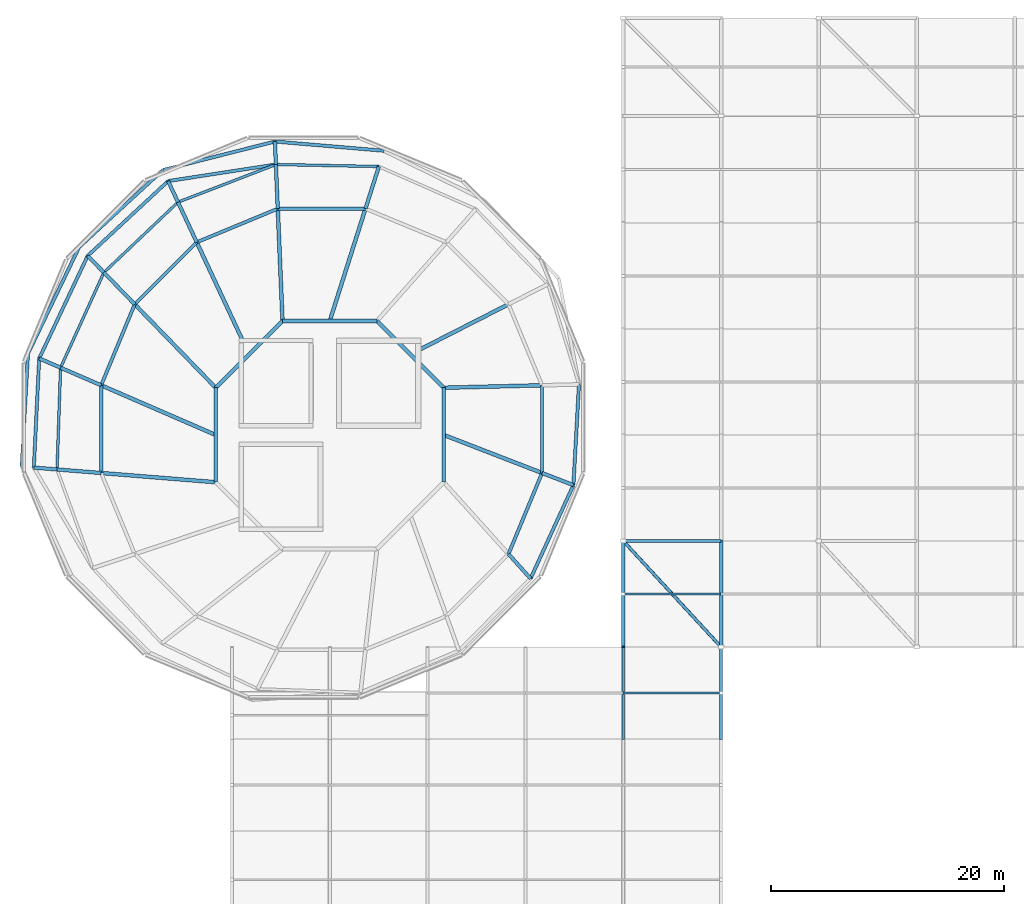
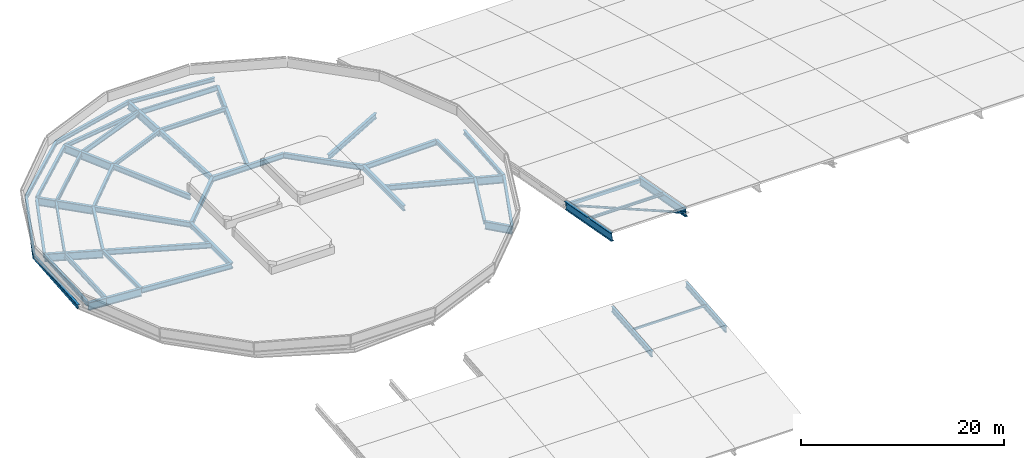
# One storey, part 2 of 12: 54 beams, 4 members.
"""IFC4 building model written with IfcOpenShell, lengths in metres."""

from ifc_helpers import new_model, si_unit, derived_unit, direction, frame, origin, origin_2d, place, context, subcontext, project, spatial, hollow_rectangle, hollow_circle, i_section, extrude, material, material_profile, profile_set, type_object, element, save


model = new_model("IFC4")

# Units and contexts
model_context = context("Model", 3, precision=1e-05, world=origin(), true_north=direction((0.0, 1.0)))
body_context = subcontext(model_context, "Body", "Model", "MODEL_VIEW")
ifc_project = project(units=[si_unit("LENGTHUNIT", "METRE"), si_unit("AREAUNIT", "SQUARE_METRE"), si_unit("VOLUMEUNIT", "CUBIC_METRE"), si_unit("PLANEANGLEUNIT", "RADIAN"), si_unit("MASSUNIT", "GRAM", prefix="KILO"), derived_unit("THERMALTRANSMITTANCEUNIT", [(si_unit("MASSUNIT", "GRAM", prefix="KILO"), 1), (si_unit("TIMEUNIT", "SECOND"), -3), (si_unit("THERMODYNAMICTEMPERATUREUNIT", "KELVIN"), -1)])], contexts=[model_context])

# Site, building, storey
site_placement = place(None, origin())
site = spatial("IfcSite", under=ifc_project, at=site_placement, CompositionType="ELEMENT")
building_placement = place(site_placement, origin())
building = spatial("IfcBuilding", under=site, at=building_placement, Name="Makaiwela Harbour Ferry Terminal", CompositionType="ELEMENT")
storey_placement = place(building_placement, frame((0.0, 0.0, 25.5)))
storey = spatial("IfcBuildingStorey", under=building, at=storey_placement, Name="ROOF", CompositionType="ELEMENT", Elevation=25.5)

# Beams
ifc_material_1 = material(Name="Steel ASTM A992 Grade 50", Category="steel")
ifc_material_profile_1 = material_profile(ifc_material_1, i_section(OverallWidth=0.256103515625, OverallDepth=0.693115234375, WebThickness=0.014404296875, FlangeThickness=0.023681640625, at=origin_2d()), Name="W27X114")
ifc_profile_set_1 = profile_set([ifc_material_profile_1], Name="Steel ASTM A992 Grade 50")
beam_type_1 = type_object("IfcBeamType", Name="STR-ARC-W27X114", PredefinedType="USERDEFINED", material=ifc_profile_set_1)
for number, where, z_axis, x_axis, name in (
    (1, (63.0, 41.5, -10.28125), (0.0, 0.996097758322, 0.088256761021), (-1.0, 0.0, 0.0), "Arrivals vault arch rib 9-3"),
    (2, (71.39990234375, 41.5, -10.28125), (0.0, 0.996097758322, 0.088256761021), (-1.0, 0.0, 0.0), "Arrivals vault arch rib 10-3"),
):
    element("IfcBeam", number, at=place(storey_placement, frame(where, z_axis=z_axis, x_axis=x_axis)), inside=storey, type_object=beam_type_1, Name=name, ObjectType="ARCH SEGMENT", PredefinedType="USERDEFINED", context=body_context, shape_type="SweptSolid", body=[
        extrude(i_section(OverallWidth=0.256103515625, OverallDepth=0.693115234375, WebThickness=0.014404296875, FlangeThickness=0.023681640625, at=origin_2d()), origin(), (0.0, 0.0, 1.0), 7.930908203125),
    ])
ifc_material_profile_2 = material_profile(ifc_material_1, i_section(OverallWidth=0.306884765625, OverallDepth=0.927001953125, WebThickness=0.019287109375, FlangeThickness=0.031982421875, at=origin_2d()), Name="W36X194")
ifc_profile_set_2 = profile_set([ifc_material_profile_2], Name="Steel ASTM A992 Grade 50")
beam_type_2 = type_object("IfcBeamType", Name="STR-ARC-W36X194", PredefinedType="USERDEFINED", material=ifc_profile_set_2)
for number, where, z_axis, x_axis, name in (
    (3, (63.0, 58.5, -2.671875), (0.0, -0.983383846995, 0.181538451767), (1.0, 0.0, 0.0), "Departure vault arch rib 9-6"),
    (4, (71.39990234375, 58.5, -2.671875), (0.0, -0.983383846995, 0.181538451767), (1.0, 0.0, 0.0), "Departure vault arch rib 10-6"),
):
    element("IfcBeam", number, at=place(storey_placement, frame(where, z_axis=z_axis, x_axis=x_axis)), inside=storey, type_object=beam_type_2, Name=name, ObjectType="ARCH SEGMENT", PredefinedType="USERDEFINED", context=body_context, shape_type="SweptSolid", body=[
        extrude(i_section(OverallWidth=0.306884765625, OverallDepth=0.927001953125, WebThickness=0.019287109375, FlangeThickness=0.031982421875, at=origin_2d()), origin(), (0.0, 0.0, 1.0), 9.25390625),
    ])
ifc_material_profile_3 = material_profile(ifc_material_1, i_section(OverallWidth=0.280029296875, OverallDepth=0.462890625, WebThickness=0.0107421875, FlangeThickness=0.017333984375, at=origin_2d()), Name="W18X76")
ifc_profile_set_3 = profile_set([ifc_material_profile_3], Name="Steel ASTM A992 Grade 50")
beam_type_3 = type_object("IfcBeamType", Name="STR-BM-W18X76", PredefinedType="BEAM", material=ifc_profile_set_3)
beam_1_placement = place(storey_placement, frame((33.173583984375, 90.82568359375, -0.651611328125), z_axis=(-0.988365063571, -0.152100299516, 0.0), x_axis=(0.152100299516, -0.988365063571, 0.0)))
element("IfcBeam", 5, at=beam_1_placement, inside=storey, type_object=beam_type_3, Name="Drum stage2 tie girder 684", PredefinedType="BEAM", context=body_context, shape_type="SweptSolid", body=[
    extrude(i_section(OverallWidth=0.280029296875, OverallDepth=0.462890625, WebThickness=0.0107421875, FlangeThickness=0.017333984375, at=origin_2d()), origin(), (0.0, 0.0, 1.0), 9.361083984375),
])
beam_2_placement = place(storey_placement, frame((23.92138671875, 89.40185546875, -0.651611328125), z_axis=(-0.732663441999, -0.680591125977, 0.0), x_axis=(0.680591125977, -0.732663441999, 0.0)))
element("IfcBeam", 6, at=beam_2_placement, inside=storey, type_object=beam_type_3, Name="Drum stage2 tie girder 686", PredefinedType="BEAM", context=body_context, shape_type="SweptSolid", body=[
    extrude(i_section(OverallWidth=0.280029296875, OverallDepth=0.462890625, WebThickness=0.0107421875, FlangeThickness=0.017333984375, at=origin_2d()), origin(), (0.0, 0.0, 1.0), 9.428466796875),
])
beam_3_placement = place(storey_placement, frame((17.013427734375, 82.98486328125, -0.651611328125), z_axis=(-0.427213957475, -0.904150559663, 0.0), x_axis=(0.904150559663, -0.427213957475, 0.0)))
element("IfcBeam", 7, at=beam_3_placement, inside=storey, type_object=beam_type_3, Name="Drum stage2 tie girder 688", PredefinedType="BEAM", context=body_context, shape_type="SweptSolid", body=[
    extrude(i_section(OverallWidth=0.280029296875, OverallDepth=0.462890625, WebThickness=0.0107421875, FlangeThickness=0.017333984375, at=origin_2d()), origin(), (0.0, 0.0, 1.0), 9.746337890625),
])
beam_4_placement = place(storey_placement, frame((12.849609375, 74.172607421875, -0.651611328125), z_axis=(-0.049040970726, -0.998796767711, 0.0), x_axis=(0.998796767711, -0.049040970726, 0.0)))
element("IfcBeam", 8, at=beam_4_placement, inside=storey, type_object=beam_type_3, Name="Drum stage2 tie girder 690", PredefinedType="BEAM", context=body_context, shape_type="SweptSolid", body=[
    extrude(i_section(OverallWidth=0.280029296875, OverallDepth=0.462890625, WebThickness=0.0107421875, FlangeThickness=0.017333984375, at=origin_2d()), origin(), (0.0, 0.0, 1.0), 9.384033203125),
])

# Members
ifc_material_2 = material(Name="Steel ASTM A500 Grade C", Category="steel")
ifc_material_profile_4 = material_profile(ifc_material_2, hollow_circle(Radius=0.136474609375, WallThickness=0.0126953125, at=origin_2d()), Name="PIPE10XS")
ifc_profile_set_4 = profile_set([ifc_material_profile_4], Name="Steel ASTM A500 Grade C")
member_type_1 = type_object("IfcMemberType", Name="STR-BRC-PIPE10", PredefinedType="BRACE", material=ifc_profile_set_4)
member_1_placement = place(storey_placement, frame((63.0, 58.5, -2.671875), z_axis=(0.672116283333, -0.728142252658, 0.134419349695), x_axis=(0.734811002576, 0.678271914864, 0.0)))
element("IfcMember", 9, at=member_1_placement, inside=storey, type_object=member_type_1, Name="Structural Member BR-04", PredefinedType="BRACE", context=body_context, shape_type="SweptSolid", body=[
    extrude(hollow_circle(Radius=0.136474609375, WallThickness=0.0126953125, at=origin_2d()), origin(), (0.0, 0.0, 1.0), 12.497802734375),
])
ifc_material_profile_5 = material_profile(ifc_material_2, hollow_rectangle(XDim=0.25390625, YDim=0.406005859375, WallThickness=0.01171875, at=origin_2d()), Name="HSS16X10X1/2")
ifc_profile_set_5 = profile_set([ifc_material_profile_5], Name="Steel ASTM A500 Grade C")
member_type_2 = type_object("IfcMemberType", Name="STR-CHD-HSS16", PredefinedType="CHORD", material=ifc_profile_set_5)
member_2_placement = place(storey_placement, frame((63.0, 58.5, -2.671875), z_axis=(1.0, 0.0, 0.0), x_axis=(0.0, 1.0, 0.0)))
element("IfcMember", 10, at=member_2_placement, inside=storey, type_object=member_type_2, Name="Structural Member CH-01", PredefinedType="CHORD", context=body_context, shape_type="SweptSolid", body=[
    extrude(hollow_rectangle(XDim=0.25390625, YDim=0.406005859375, WallThickness=0.01171875, at=origin_2d()), origin(), (0.0, 0.0, 1.0), 8.39990234375),
])

# Beams
ifc_material_profile_6 = material_profile(ifc_material_1, i_section(OverallWidth=0.324951171875, OverallDepth=0.615966796875, WebThickness=0.013916015625, FlangeThickness=0.021484375, at=origin_2d()), Name="W24X117")
ifc_profile_set_6 = profile_set([ifc_material_profile_6], Name="Steel ASTM A992 Grade 50")
beam_type_4 = type_object("IfcBeamType", Name="STR-GRD-W24X117", PredefinedType="USERDEFINED", material=ifc_profile_set_6)
for number, where, z_axis, x_axis, name in (
    (11, (47.593017578125, 71.656494140625, -0.72802734375), (-0.707106781187, 0.707106781187, 0.0), (-0.707106781187, -0.707106781187, 0.0), "Drum inner ring girder 618"),
    (12, (41.8564453125, 77.39306640625, -0.72802734375), (-1.0, 0.0, 0.0), (0.0, -1.0, 0.0), "Drum inner ring girder 619"),
    (13, (33.74365234375, 77.39306640625, -0.72802734375), (-0.707121827452, -0.707091734601, 0.0), (0.707091734601, -0.707121827452, 0.0), "Drum inner ring girder 620"),
    (14, (28.0068359375, 71.656494140625, -0.72802734375), (0.0, -1.0, 0.0), (1.0, 0.0, 0.0), "Drum inner ring girder 621"),
    (15, (47.593017578125, 63.543701171875, -0.72802734375), (0.0, 1.0, 0.0), (-1.0, 0.0, 0.0), "Drum inner ring girder 625"),
):
    element("IfcBeam", number, at=place(storey_placement, frame(where, z_axis=z_axis, x_axis=x_axis)), inside=storey, type_object=beam_type_4, Name=name, ObjectType="GIRDER", PredefinedType="USERDEFINED", context=body_context, shape_type="SweptSolid", body=[
        extrude(i_section(OverallWidth=0.324951171875, OverallDepth=0.615966796875, WebThickness=0.013916015625, FlangeThickness=0.021484375, at=origin_2d()), origin(), (0.0, 0.0, 1.0), 8.11279296875),
    ])
beam_5_placement = place(storey_placement, frame((47.593017578125, 71.656494140625, -0.72802734375), z_axis=(0.999694028426, 0.024735592369, 0.0), x_axis=(-0.024735592369, 0.999694028426, 0.0)))
element("IfcBeam", 16, at=beam_5_placement, inside=storey, type_object=beam_type_4, Name="Drum radial girder 642", ObjectType="GIRDER", PredefinedType="USERDEFINED", context=body_context, shape_type="SweptSolid", body=[
    extrude(i_section(OverallWidth=0.324951171875, OverallDepth=0.615966796875, WebThickness=0.013916015625, FlangeThickness=0.021484375, at=origin_2d()), origin(), (0.0, 0.0, 1.0), 8.43896484375),
])
beam_6_placement = place(storey_placement, frame((45.43994140625, 74.8896484375, -0.72802734375), z_axis=(0.890740656369, 0.454511917436, 0.0), x_axis=(-0.454511917436, 0.890740656369, 0.0)))
element("IfcBeam", 17, at=beam_6_placement, inside=storey, type_object=beam_type_4, Name="Drum radial girder 644", ObjectType="GIRDER", PredefinedType="USERDEFINED", context=body_context, shape_type="SweptSolid", body=[
    extrude(i_section(OverallWidth=0.324951171875, OverallDepth=0.615966796875, WebThickness=0.013916015625, FlangeThickness=0.021484375, at=origin_2d()), origin(), (0.0, 0.0, 1.0), 8.65283203125),
])
beam_7_placement = place(storey_placement, frame((37.800048828125, 77.39306640625, -0.72802734375), z_axis=(0.303123932236, 0.952951143399, 0.0), x_axis=(-0.952951143399, 0.303123932236, 0.0)))
element("IfcBeam", 18, at=beam_7_placement, inside=storey, type_object=beam_type_4, Name="Drum radial girder 648", ObjectType="GIRDER", PredefinedType="USERDEFINED", context=body_context, shape_type="SweptSolid", body=[
    extrude(i_section(OverallWidth=0.324951171875, OverallDepth=0.615966796875, WebThickness=0.013916015625, FlangeThickness=0.021484375, at=origin_2d()), origin(), (0.0, 0.0, 1.0), 10.112060546875),
])
beam_8_placement = place(storey_placement, frame((33.74365234375, 77.39306640625, -0.72802734375), z_axis=(-0.042399132515, 0.999100752458, 0.0), x_axis=(-0.999100752458, -0.042399132515, 0.0)))
element("IfcBeam", 19, at=beam_8_placement, inside=storey, type_object=beam_type_4, Name="Drum radial girder 650", ObjectType="GIRDER", PredefinedType="USERDEFINED", context=body_context, shape_type="SweptSolid", body=[
    extrude(i_section(OverallWidth=0.324951171875, OverallDepth=0.615966796875, WebThickness=0.013916015625, FlangeThickness=0.021484375, at=origin_2d()), origin(), (0.0, 0.0, 1.0), 9.64501953125),
])
beam_9_placement = place(storey_placement, frame((30.30712890625, 75.739990234375, -0.72802734375), z_axis=(-0.423434085994, 0.905926914722, 0.0), x_axis=(-0.905926914722, -0.423434085994, 0.0)))
element("IfcBeam", 20, at=beam_9_placement, inside=storey, type_object=beam_type_4, Name="Drum radial girder 653", ObjectType="GIRDER", PredefinedType="USERDEFINED", context=body_context, shape_type="SweptSolid", body=[
    extrude(i_section(OverallWidth=0.324951171875, OverallDepth=0.615966796875, WebThickness=0.013916015625, FlangeThickness=0.021484375, at=origin_2d()), origin(), (0.0, 0.0, 1.0), 9.280517578125),
])
beam_10_placement = place(storey_placement, frame((28.0068359375, 71.656494140625, -0.72802734375), z_axis=(-0.696428721194, 0.717625972423, 0.0), x_axis=(-0.717625972423, -0.696428721194, 0.0)))
element("IfcBeam", 21, at=beam_10_placement, inside=storey, type_object=beam_type_4, Name="Drum radial girder 656", ObjectType="GIRDER", PredefinedType="USERDEFINED", context=body_context, shape_type="SweptSolid", body=[
    extrude(i_section(OverallWidth=0.324951171875, OverallDepth=0.615966796875, WebThickness=0.013916015625, FlangeThickness=0.021484375, at=origin_2d()), origin(), (0.0, 0.0, 1.0), 9.98583984375),
])
beam_11_placement = place(storey_placement, frame((28.0068359375, 67.60009765625, -0.72802734375), z_axis=(-0.91745700874, 0.397834937021, 0.0), x_axis=(-0.397834937021, -0.91745700874, 0.0)))
element("IfcBeam", 22, at=beam_11_placement, inside=storey, type_object=beam_type_4, Name="Drum radial girder 659", ObjectType="GIRDER", PredefinedType="USERDEFINED", context=body_context, shape_type="SweptSolid", body=[
    extrude(i_section(OverallWidth=0.324951171875, OverallDepth=0.615966796875, WebThickness=0.013916015625, FlangeThickness=0.021484375, at=origin_2d()), origin(), (0.0, 0.0, 1.0), 10.720947265625),
])
beam_12_placement = place(storey_placement, frame((28.0068359375, 63.543701171875, -0.72802734375), z_axis=(-0.996781835671, 0.080162161129, 0.0), x_axis=(-0.080162161129, -0.996781835671, 0.0)))
element("IfcBeam", 23, at=beam_12_placement, inside=storey, type_object=beam_type_4, Name="Drum radial girder 662", ObjectType="GIRDER", PredefinedType="USERDEFINED", context=body_context, shape_type="SweptSolid", body=[
    extrude(i_section(OverallWidth=0.324951171875, OverallDepth=0.615966796875, WebThickness=0.013916015625, FlangeThickness=0.021484375, at=origin_2d()), origin(), (0.0, 0.0, 1.0), 9.86767578125),
])
beam_13_placement = place(storey_placement, frame((47.593017578125, 67.60009765625, -0.72802734375), z_axis=(0.932578355868, -0.360967602655, 0.0), x_axis=(0.360967602655, 0.932578355868, 0.0)))
element("IfcBeam", 24, at=beam_13_placement, inside=storey, type_object=beam_type_4, Name="Drum radial girder 677", ObjectType="GIRDER", PredefinedType="USERDEFINED", context=body_context, shape_type="SweptSolid", body=[
    extrude(i_section(OverallWidth=0.324951171875, OverallDepth=0.615966796875, WebThickness=0.013916015625, FlangeThickness=0.021484375, at=origin_2d()), origin(), (0.0, 0.0, 1.0), 9.046142578125),
])
ifc_material_profile_7 = material_profile(ifc_material_1, i_section(OverallWidth=0.22900390625, OverallDepth=0.612060546875, WebThickness=0.011962890625, FlangeThickness=0.01953125, at=origin_2d()), Name="W24X84")
ifc_profile_set_7 = profile_set([ifc_material_profile_7], Name="Steel ASTM A992 Grade 50")
beam_type_5 = type_object("IfcBeamType", Name="STR-GRD-W24X84", PredefinedType="USERDEFINED", material=ifc_profile_set_7)
beam_14_placement = place(storey_placement, frame((42.01708984375, 90.650390625, -0.72607421875), z_axis=(-0.999803608761, 0.019817767471, 0.0), x_axis=(-0.019817767471, -0.999803608761, 0.0)))
element("IfcBeam", 25, at=beam_14_placement, inside=storey, type_object=beam_type_5, Name="Drum overhang tie girder 682", ObjectType="GIRDER", PredefinedType="USERDEFINED", context=body_context, shape_type="SweptSolid", body=[
    extrude(i_section(OverallWidth=0.22900390625, OverallDepth=0.612060546875, WebThickness=0.011962890625, FlangeThickness=0.01953125, at=origin_2d()), origin(), (0.0, 0.0, 1.0), 8.84521484375),
])
beam_15_placement = place(storey_placement, frame((33.173583984375, 90.82568359375, -0.72607421875), z_axis=(-0.933232382004, -0.359273323779, 0.0), x_axis=(0.359273323779, -0.933232382004, 0.0)))
element("IfcBeam", 26, at=beam_15_placement, inside=storey, type_object=beam_type_5, Name="Drum overhang tie girder 683", ObjectType="GIRDER", PredefinedType="USERDEFINED", context=body_context, shape_type="SweptSolid", body=[
    extrude(i_section(OverallWidth=0.22900390625, OverallDepth=0.612060546875, WebThickness=0.011962890625, FlangeThickness=0.01953125, at=origin_2d()), origin(), (0.0, 0.0, 1.0), 9.006591796875),
])
beam_16_placement = place(storey_placement, frame((24.768310546875, 87.58984375, -0.72607421875), z_axis=(-0.725208541856, -0.688529281018, 0.0), x_axis=(0.688529281018, -0.725208541856, 0.0)))
element("IfcBeam", 27, at=beam_16_placement, inside=storey, type_object=beam_type_5, Name="Drum overhang tie girder 685", ObjectType="GIRDER", PredefinedType="USERDEFINED", context=body_context, shape_type="SweptSolid", body=[
    extrude(i_section(OverallWidth=0.22900390625, OverallDepth=0.612060546875, WebThickness=0.011962890625, FlangeThickness=0.01953125, at=origin_2d()), origin(), (0.0, 0.0, 1.0), 8.772705078125),
])
beam_17_placement = place(storey_placement, frame((18.40625, 81.549560546875, -0.72607421875), z_axis=(-0.41443577564, -0.910078561372, 0.0), x_axis=(0.910078561372, -0.41443577564, 0.0)))
element("IfcBeam", 28, at=beam_17_placement, inside=storey, type_object=beam_type_5, Name="Drum overhang tie girder 687", ObjectType="GIRDER", PredefinedType="USERDEFINED", context=body_context, shape_type="SweptSolid", body=[
    extrude(i_section(OverallWidth=0.22900390625, OverallDepth=0.612060546875, WebThickness=0.011962890625, FlangeThickness=0.01953125, at=origin_2d()), origin(), (0.0, 0.0, 1.0), 8.980224609375),
])
beam_18_placement = place(storey_placement, frame((14.6845703125, 73.376953125, -0.72607421875), z_axis=(-0.034487282234, -0.999405136751, 0.0), x_axis=(0.999405136751, -0.034487282234, 0.0)))
element("IfcBeam", 29, at=beam_18_placement, inside=storey, type_object=beam_type_5, Name="Drum overhang tie girder 689", ObjectType="GIRDER", PredefinedType="USERDEFINED", context=body_context, shape_type="SweptSolid", body=[
    extrude(i_section(OverallWidth=0.22900390625, OverallDepth=0.612060546875, WebThickness=0.011962890625, FlangeThickness=0.01953125, at=origin_2d()), origin(), (0.0, 0.0, 1.0), 8.74267578125),
])
ifc_material_profile_8 = material_profile(ifc_material_1, i_section(OverallWidth=0.31005859375, OverallDepth=0.949951171875, WebThickness=0.0244140625, FlangeThickness=0.0439453125, at=origin_2d()), Name="W36X256")
ifc_profile_set_8 = profile_set([ifc_material_profile_8], Name="Steel ASTM A992 Grade 50")
beam_type_6 = type_object("IfcBeamType", Name="STR-GRD-W36X256", PredefinedType="USERDEFINED", material=ifc_profile_set_8)
for number, where, z_axis, x_axis, name in (
    (30, (40.865234375, 87.029296875, -0.89501953125), (0.303129401711, 0.952949403598, 0.0), (-0.952949403598, 0.303129401711, 0.0), "Drum radial overhang 649"),
    (31, (33.334716796875, 87.029296875, -0.89501953125), (-0.042405550922, 0.999100480057, 0.0), (-0.999100480057, -0.042405550922, 0.0), "Drum radial overhang 651"),
):
    element("IfcBeam", number, at=place(storey_placement, frame(where, z_axis=z_axis, x_axis=x_axis)), inside=storey, type_object=beam_type_6, Name=name, ObjectType="GIRDER", PredefinedType="USERDEFINED", context=body_context, shape_type="SweptSolid", body=[
        extrude(i_section(OverallWidth=0.31005859375, OverallDepth=0.949951171875, WebThickness=0.0244140625, FlangeThickness=0.0439453125, at=origin_2d()), origin(), (0.0, 0.0, 1.0), 3.7998046875),
    ])
beam_19_placement = place(storey_placement, frame((33.173583984375, 90.82568359375, -0.89501953125), z_axis=(-0.042299319667, 0.99910498325, 0.0), x_axis=(-0.99910498325, -0.042299319667, 0.0)))
element("IfcBeam", 32, at=beam_19_placement, inside=storey, type_object=beam_type_6, Name="Drum overhang radial girder 652", ObjectType="GIRDER", PredefinedType="USERDEFINED", context=body_context, shape_type="SweptSolid", body=[
    extrude(i_section(OverallWidth=0.31005859375, OverallDepth=0.949951171875, WebThickness=0.0244140625, FlangeThickness=0.0439453125, at=origin_2d()), origin(), (0.0, 0.0, 1.0), 1.973876953125),
])
beam_20_placement = place(storey_placement, frame((26.37744140625, 84.1474609375, -0.89501953125), z_axis=(-0.423465730758, 0.905912123152, 0.0), x_axis=(-0.905912123152, -0.423465730758, 0.0)))
element("IfcBeam", 33, at=beam_20_placement, inside=storey, type_object=beam_type_6, Name="Drum radial overhang 654", ObjectType="GIRDER", PredefinedType="USERDEFINED", context=body_context, shape_type="SweptSolid", body=[
    extrude(i_section(OverallWidth=0.31005859375, OverallDepth=0.949951171875, WebThickness=0.0244140625, FlangeThickness=0.0439453125, at=origin_2d()), origin(), (0.0, 0.0, 1.0), 3.7998046875),
])
beam_21_placement = place(storey_placement, frame((24.768310546875, 87.58984375, -0.89501953125), z_axis=(-0.423426642, 0.90593039404, 0.0), x_axis=(-0.90593039404, -0.423426642, 0.0)))
element("IfcBeam", 34, at=beam_21_placement, inside=storey, type_object=beam_type_6, Name="Drum overhang radial girder 655", ObjectType="GIRDER", PredefinedType="USERDEFINED", context=body_context, shape_type="SweptSolid", body=[
    extrude(i_section(OverallWidth=0.31005859375, OverallDepth=0.949951171875, WebThickness=0.0244140625, FlangeThickness=0.0439453125, at=origin_2d()), origin(), (0.0, 0.0, 1.0), 2.000244140625),
])
beam_22_placement = place(storey_placement, frame((21.052490234375, 78.822509765625, -0.89501953125), z_axis=(-0.696393637769, 0.717660017888, 0.0), x_axis=(-0.717660017888, -0.696393637769, 0.0)))
element("IfcBeam", 35, at=beam_22_placement, inside=storey, type_object=beam_type_6, Name="Drum radial overhang 657", ObjectType="GIRDER", PredefinedType="USERDEFINED", context=body_context, shape_type="SweptSolid", body=[
    extrude(i_section(OverallWidth=0.31005859375, OverallDepth=0.949951171875, WebThickness=0.0244140625, FlangeThickness=0.0439453125, at=origin_2d()), origin(), (0.0, 0.0, 1.0), 3.7998046875),
])
beam_23_placement = place(storey_placement, frame((18.40625, 81.549560546875, -0.89501953125), z_axis=(-0.696406971539, 0.717647078997, 0.0), x_axis=(-0.717647078997, -0.696406971539, 0.0)))
element("IfcBeam", 36, at=beam_23_placement, inside=storey, type_object=beam_type_6, Name="Drum overhang radial girder 658", ObjectType="GIRDER", PredefinedType="USERDEFINED", context=body_context, shape_type="SweptSolid", body=[
    extrude(i_section(OverallWidth=0.31005859375, OverallDepth=0.949951171875, WebThickness=0.0244140625, FlangeThickness=0.0439453125, at=origin_2d()), origin(), (0.0, 0.0, 1.0), 2.0),
])
beam_24_placement = place(storey_placement, frame((18.1708984375, 71.865234375, -0.89501953125), z_axis=(-0.917461842154, 0.397823790379, 0.0), x_axis=(-0.397823790379, -0.917461842154, 0.0)))
element("IfcBeam", 37, at=beam_24_placement, inside=storey, type_object=beam_type_6, Name="Drum radial overhang 660", ObjectType="GIRDER", PredefinedType="USERDEFINED", context=body_context, shape_type="SweptSolid", body=[
    extrude(i_section(OverallWidth=0.31005859375, OverallDepth=0.949951171875, WebThickness=0.0244140625, FlangeThickness=0.0439453125, at=origin_2d()), origin(), (0.0, 0.0, 1.0), 3.800048828125),
])
beam_25_placement = place(storey_placement, frame((14.6845703125, 73.376953125, -0.89501953125), z_axis=(-0.917463564377, 0.397819818561, 0.0), x_axis=(-0.397819818561, -0.917463564377, 0.0)))
element("IfcBeam", 38, at=beam_25_placement, inside=storey, type_object=beam_type_6, Name="Drum overhang radial girder 661", ObjectType="GIRDER", PredefinedType="USERDEFINED", context=body_context, shape_type="SweptSolid", body=[
    extrude(i_section(OverallWidth=0.31005859375, OverallDepth=0.949951171875, WebThickness=0.0244140625, FlangeThickness=0.0439453125, at=origin_2d()), origin(), (0.0, 0.0, 1.0), 2.0),
])
beam_26_placement = place(storey_placement, frame((18.1708984375, 64.334716796875, -0.89501953125), z_axis=(-0.996780456317, 0.080179310956, 0.0), x_axis=(-0.080179310956, -0.996780456317, 0.0)))
element("IfcBeam", 39, at=beam_26_placement, inside=storey, type_object=beam_type_6, Name="Drum radial overhang 663", ObjectType="GIRDER", PredefinedType="USERDEFINED", context=body_context, shape_type="SweptSolid", body=[
    extrude(i_section(OverallWidth=0.31005859375, OverallDepth=0.949951171875, WebThickness=0.0244140625, FlangeThickness=0.0439453125, at=origin_2d()), origin(), (0.0, 0.0, 1.0), 3.800048828125),
])
beam_27_placement = place(storey_placement, frame((14.383056640625, 64.639404296875, -0.89501953125), z_axis=(-0.996779081025, 0.080196406592, 0.0), x_axis=(-0.080196406592, -0.996779081025, 0.0)))
element("IfcBeam", 40, at=beam_27_placement, inside=storey, type_object=beam_type_6, Name="Drum overhang radial girder 664", ObjectType="GIRDER", PredefinedType="USERDEFINED", context=body_context, shape_type="SweptSolid", body=[
    extrude(i_section(OverallWidth=0.31005859375, OverallDepth=0.949951171875, WebThickness=0.0244140625, FlangeThickness=0.0439453125, at=origin_2d()), origin(), (0.0, 0.0, 1.0), 2.0),
])
beam_28_placement = place(storey_placement, frame((53.1474609375, 57.37744140625, -0.89501953125), z_axis=(0.669283847935, -0.743006817528, 0.0), x_axis=(0.743006817528, 0.669283847935, 0.0)))
element("IfcBeam", 41, at=beam_28_placement, inside=storey, type_object=beam_type_6, Name="Drum radial overhang 676", ObjectType="GIRDER", PredefinedType="USERDEFINED", context=body_context, shape_type="SweptSolid", body=[
    extrude(i_section(OverallWidth=0.31005859375, OverallDepth=0.949951171875, WebThickness=0.0244140625, FlangeThickness=0.0439453125, at=origin_2d()), origin(), (0.0, 0.0, 1.0), 2.831298828125),
])
beam_29_placement = place(storey_placement, frame((56.029296875, 64.334716796875, -0.89501953125), z_axis=(0.93257177226, -0.360984611283, 0.0), x_axis=(0.360984611283, 0.93257177226, 0.0)))
element("IfcBeam", 42, at=beam_29_placement, inside=storey, type_object=beam_type_6, Name="Drum radial overhang 678", ObjectType="GIRDER", PredefinedType="USERDEFINED", context=body_context, shape_type="SweptSolid", body=[
    extrude(i_section(OverallWidth=0.31005859375, OverallDepth=0.949951171875, WebThickness=0.0244140625, FlangeThickness=0.0439453125, at=origin_2d()), origin(), (0.0, 0.0, 1.0), 2.886474609375),
])

# Members
ifc_material_profile_9 = material_profile(ifc_material_2, hollow_rectangle(XDim=0.152099609375, YDim=0.25390625, WallThickness=0.0087890625, at=origin_2d()), Name="HSS10X6X3/8")
ifc_profile_set_9 = profile_set([ifc_material_profile_9], Name="Steel ASTM A500 Grade C")
member_type_3 = type_object("IfcMemberType", Name="STR-PRL-HSS10X6", PredefinedType="PURLIN", material=ifc_profile_set_9)
member_3_placement = place(storey_placement, frame((63.0, 45.449951171875, -9.711669921875), z_axis=(1.0, 0.0, 0.0), x_axis=(0.0, 1.0, 0.0)))
element("IfcMember", 43, at=member_3_placement, inside=storey, type_object=member_type_3, Name="Structural Member PR-01", PredefinedType="PURLIN", context=body_context, shape_type="SweptSolid", body=[
    extrude(hollow_rectangle(XDim=0.152099609375, YDim=0.25390625, WallThickness=0.0087890625, at=origin_2d()), origin(), (0.0, 0.0, 1.0), 8.39990234375),
])
ifc_material_profile_10 = material_profile(ifc_material_1, i_section(OverallWidth=0.205078125, OverallDepth=0.31005859375, WebThickness=0.009521484375, FlangeThickness=0.016357421875, at=origin_2d()), Name="W12X50")
ifc_profile_set_10 = profile_set([ifc_material_profile_10], Name="Steel ASTM A992 Grade 50")
member_type_4 = type_object("IfcMemberType", Name="STR-PRL-W12X50", PredefinedType="PURLIN", material=ifc_profile_set_10)
member_4_placement = place(storey_placement, frame((63.0, 53.949951171875, -1.515380859375), z_axis=(1.0, 0.0, 0.0), x_axis=(0.0, 1.0, 0.0)))
element("IfcMember", 44, at=member_4_placement, inside=storey, type_object=member_type_4, Name="Structural Member PR-02", PredefinedType="PURLIN", context=body_context, shape_type="SweptSolid", body=[
    extrude(i_section(OverallWidth=0.205078125, OverallDepth=0.31005859375, WebThickness=0.009521484375, FlangeThickness=0.016357421875, at=origin_2d()), origin(), (0.0, 0.0, 1.0), 8.39990234375),
])

# Beams
ifc_material_profile_11 = material_profile(ifc_material_1, i_section(OverallWidth=0.283935546875, OverallDepth=0.47607421875, WebThickness=0.014892578125, FlangeThickness=0.02392578125, at=origin_2d()), Name="W18X106")
ifc_profile_set_11 = profile_set([ifc_material_profile_11], Name="Steel ASTM A992 Grade 50")
beam_type_7 = type_object("IfcBeamType", Name="STR-SPN-W18X106", PredefinedType="SPANDREL", material=ifc_profile_set_11)
for number, where, z_axis, x_axis, name in (
    (45, (40.865234375, 87.029296875, -0.657958984375), (-1.0, 0.0, 0.0), (0.0, -1.0, 0.0), "Drum column ring girder 629"),
    (46, (33.334716796875, 87.029296875, -0.657958984375), (-0.923877743092, -0.382687752376, 0.0), (0.382687752376, -0.923877743092, 0.0), "Drum column ring girder 630"),
    (47, (26.37744140625, 84.1474609375, -0.657958984375), (-0.707106781187, -0.707106781187, 0.0), (0.707106781187, -0.707106781187, 0.0), "Drum column ring girder 631"),
    (48, (21.052490234375, 78.822509765625, -0.657958984375), (-0.382660079618, -0.92388920519, 0.0), (0.92388920519, -0.382660079618, 0.0), "Drum column ring girder 632"),
    (49, (18.1708984375, 71.865234375, -0.657958984375), (0.0, -1.0, 0.0), (1.0, 0.0, 0.0), "Drum column ring girder 633"),
    (50, (53.1474609375, 57.37744140625, -0.657958984375), (0.382687752376, 0.923877743092, 0.0), (-0.923877743092, 0.382687752376, 0.0), "Drum column ring girder 640"),
    (51, (56.029296875, 64.334716796875, -0.657958984375), (0.0, 1.0, 0.0), (-1.0, 0.0, 0.0), "Drum column ring girder 641"),
):
    element("IfcBeam", number, at=place(storey_placement, frame(where, z_axis=z_axis, x_axis=x_axis)), inside=storey, type_object=beam_type_7, Name=name, PredefinedType="SPANDREL", context=body_context, shape_type="SweptSolid", body=[
        extrude(i_section(OverallWidth=0.283935546875, OverallDepth=0.47607421875, WebThickness=0.014892578125, FlangeThickness=0.02392578125, at=origin_2d()), origin(), (0.0, 0.0, 1.0), 7.530517578125),
    ])
beam_30_placement = place(storey_placement, frame((42.44775390625, 92.004638671875, -0.657958984375), z_axis=(-0.996426599264, 0.084463200736, 0.0), x_axis=(-0.084463200736, -0.996426599264, 0.0)))
element("IfcBeam", 52, at=beam_30_placement, inside=storey, type_object=beam_type_7, Name="Drum perimeter spandrel 699", PredefinedType="SPANDREL", context=body_context, shape_type="SweptSolid", body=[
    extrude(i_section(OverallWidth=0.283935546875, OverallDepth=0.47607421875, WebThickness=0.014892578125, FlangeThickness=0.02392578125, at=origin_2d()), origin(), (0.0, 0.0, 1.0), 9.39111328125),
])
beam_31_placement = place(storey_placement, frame((33.090087890625, 92.7978515625, -0.657958984375), z_axis=(-0.969149999088, -0.24647166017, 0.0), x_axis=(0.24647166017, -0.969149999088, 0.0)))
element("IfcBeam", 53, at=beam_31_placement, inside=storey, type_object=beam_type_7, Name="Drum perimeter spandrel 700", PredefinedType="SPANDREL", context=body_context, shape_type="SweptSolid", body=[
    extrude(i_section(OverallWidth=0.283935546875, OverallDepth=0.47607421875, WebThickness=0.014892578125, FlangeThickness=0.02392578125, at=origin_2d()), origin(), (0.0, 0.0, 1.0), 9.919189453125),
])
beam_32_placement = place(storey_placement, frame((23.476806640625, 90.35302734375, -0.657958984375), z_axis=(-0.736159988881, -0.676807558152, 0.0), x_axis=(0.676807558152, -0.736159988881, 0.0)))
element("IfcBeam", 54, at=beam_32_placement, inside=storey, type_object=beam_type_7, Name="Drum perimeter spandrel 701", PredefinedType="SPANDREL", context=body_context, shape_type="SweptSolid", body=[
    extrude(i_section(OverallWidth=0.283935546875, OverallDepth=0.47607421875, WebThickness=0.014892578125, FlangeThickness=0.02392578125, at=origin_2d()), origin(), (0.0, 0.0, 1.0), 9.7734375),
])
beam_33_placement = place(storey_placement, frame((16.281982421875, 83.73828125, -0.657958984375), z_axis=(-0.433110310041, -0.901340922923, 0.0), x_axis=(0.901340922923, -0.433110310041, 0.0)))
element("IfcBeam", 55, at=beam_33_placement, inside=storey, type_object=beam_type_7, Name="Drum perimeter spandrel 702", PredefinedType="SPANDREL", context=body_context, shape_type="SweptSolid", body=[
    extrude(i_section(OverallWidth=0.283935546875, OverallDepth=0.47607421875, WebThickness=0.014892578125, FlangeThickness=0.02392578125, at=origin_2d()), origin(), (0.0, 0.0, 1.0), 10.149169921875),
])
beam_34_placement = place(storey_placement, frame((11.88623046875, 74.59033203125, -0.657958984375), z_axis=(-0.055877549238, -0.998437629244, 0.0), x_axis=(0.998437629244, -0.055877549238, 0.0)))
element("IfcBeam", 56, at=beam_34_placement, inside=storey, type_object=beam_type_7, Name="Drum perimeter spandrel 703", PredefinedType="SPANDREL", context=body_context, shape_type="SweptSolid", body=[
    extrude(i_section(OverallWidth=0.283935546875, OverallDepth=0.47607421875, WebThickness=0.014892578125, FlangeThickness=0.02392578125, at=origin_2d()), origin(), (0.0, 0.0, 1.0), 9.721435546875),
])
beam_35_placement = place(storey_placement, frame((55.04248046875, 55.273681640625, -0.657958984375), z_axis=(0.416965314012, 0.908922398729, 0.0), x_axis=(-0.908922398729, 0.416965314012, 0.0)))
element("IfcBeam", 57, at=beam_35_placement, inside=storey, type_object=beam_type_7, Name="Drum perimeter spandrel 710", PredefinedType="SPANDREL", context=body_context, shape_type="SweptSolid", body=[
    extrude(i_section(OverallWidth=0.283935546875, OverallDepth=0.47607421875, WebThickness=0.014892578125, FlangeThickness=0.02392578125, at=origin_2d()), origin(), (0.0, 0.0, 1.0), 8.822509765625),
])
beam_36_placement = place(storey_placement, frame((58.72119140625, 63.292724609375, -0.657958984375), z_axis=(0.055004934055, 0.998486082642, 0.0), x_axis=(-0.998486082642, 0.055004934055, 0.0)))
element("IfcBeam", 58, at=beam_36_placement, inside=storey, type_object=beam_type_7, Name="Drum perimeter spandrel 711", PredefinedType="SPANDREL", context=body_context, shape_type="SweptSolid", body=[
    extrude(i_section(OverallWidth=0.283935546875, OverallDepth=0.47607421875, WebThickness=0.014892578125, FlangeThickness=0.02392578125, at=origin_2d()), origin(), (0.0, 0.0, 1.0), 8.6640625),
])

save(model, "model.ifc")
